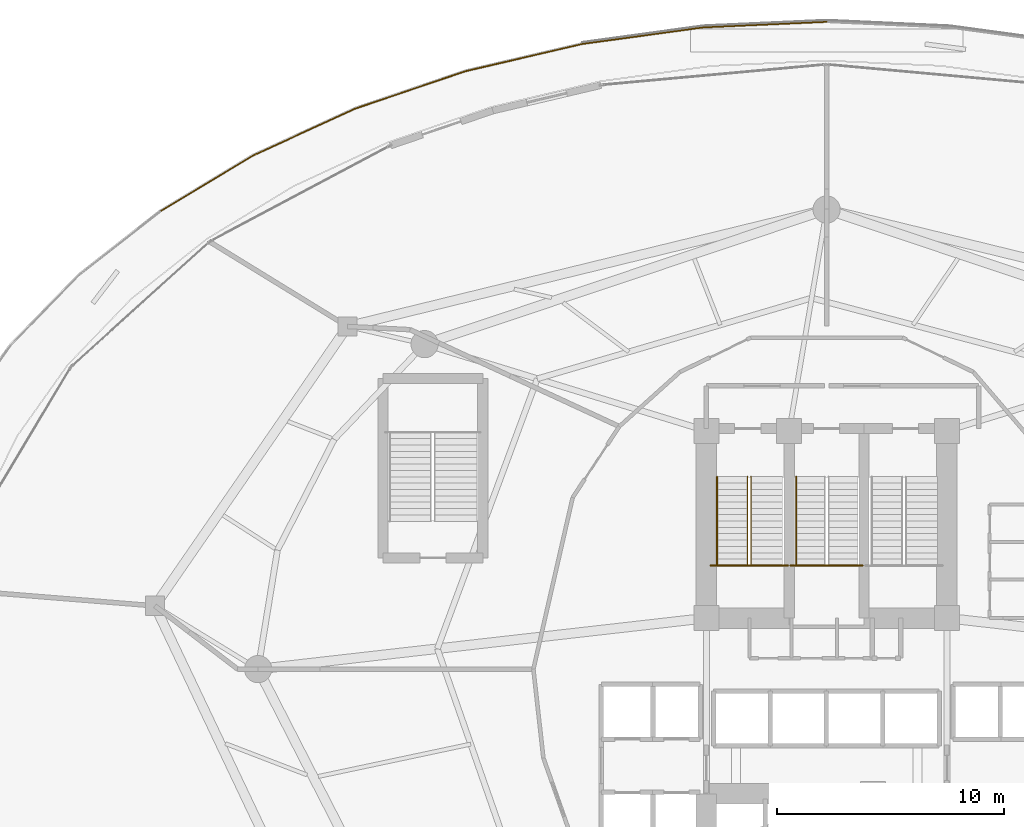
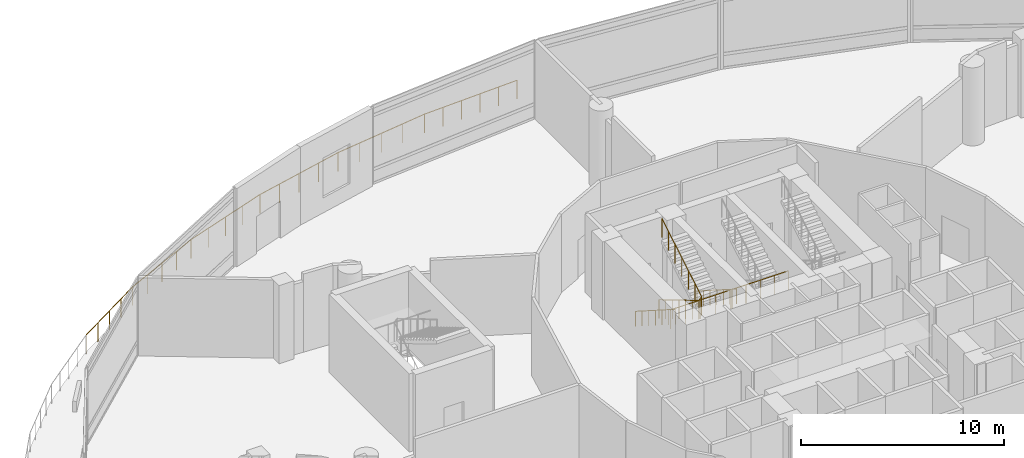
# One storey, part 34 of 37: 6 railings.
"""IFC4 building model written with IfcOpenShell, lengths in metres."""

from ifc_helpers import new_model, si_unit, direction, frame, origin, place, context, subcontext, project, spatial, polyline, outline, extrude, material, type_object, element, save


model = new_model("IFC4")

# Units and contexts
model_context = context("Model", 3, precision=1e-05, world=origin(), true_north=direction((0.0, 1.0)))
body_context = subcontext(model_context, "Body", "Model", "MODEL_VIEW")
ifc_project = project(units=[si_unit("LENGTHUNIT", "METRE"), si_unit("AREAUNIT", "SQUARE_METRE"), si_unit("VOLUMEUNIT", "CUBIC_METRE"), si_unit("PLANEANGLEUNIT", "RADIAN"), si_unit("MASSUNIT", "GRAM", prefix="KILO")], contexts=[model_context])

# Site, building, storey
site_placement = place(None, origin())
site = spatial("IfcSite", under=ifc_project, at=site_placement, CompositionType="ELEMENT")
building_placement = place(site_placement, origin())
building = spatial("IfcBuilding", under=site, at=building_placement, Name="Nuhasar Tower", CompositionType="ELEMENT")
storey_placement = place(building_placement, frame((0.0, 0.0, 6.0)))
storey = spatial("IfcBuildingStorey", under=building, at=storey_placement, Name="L01", CompositionType="ELEMENT", Elevation=6.0)

# Railings
ifc_material_1 = material(Name="Steel S355", Category="steel")
railing_type_1 = type_object("IfcRailingType", Name="RLG-STAIR-GUARD-1150", PredefinedType="GUARDRAIL", material=ifc_material_1)
railing_1_placement = place(storey_placement, frame((33.8798828125, 31.364990234375, 2.5)))
element("IfcRailing", 1, at=railing_1_placement, inside=storey, type_object=railing_type_1, Name="L01 Stair ST-01 Guardrail LND", PredefinedType="GUARDRAIL", context=body_context, shape_type="SweptSolid", body=[
    extrude(outline(polyline([(0.024169921875, 0.0), (0.01708984375, 0.01708984375), (0.0, 0.024169921875), (-0.01708984375, 0.01708984375), (-0.024169921875, 0.0), (-0.01708984375, -0.01708984375), (0.0, -0.024169921875), (0.01708984375, -0.01708984375), (0.024169921875, 0.0)])), frame((0.0, 0.0, 1.1259765625), z_axis=(1.0, 0.0, 0.0), x_axis=(0.0, 1.0, 0.0)), (0.0, 0.0, 1.0), 3.420166015625),
    extrude(outline(polyline([(0.02099609375, 0.0), (0.014892578125, 0.014892578125), (0.0, 0.02099609375), (-0.014892578125, 0.014892578125), (-0.02099609375, 0.0), (-0.014892578125, -0.014892578125), (0.0, -0.02099609375), (0.014892578125, -0.014892578125), (0.02099609375, 0.0)])), origin(), (0.0, 0.0, 1.0), 1.101806640625),
    extrude(outline(polyline([(0.02099609375, 0.0), (0.014892578125, 0.014892578125), (0.0, 0.02099609375), (-0.014892578125, 0.014892578125), (-0.02099609375, 0.0), (-0.014892578125, -0.014892578125), (0.0, -0.02099609375), (0.014892578125, -0.014892578125), (0.02099609375, 0.0)])), frame((0.85498046875, 0.0, 0.0)), (0.0, 0.0, 1.0), 1.101806640625),
    extrude(outline(polyline([(0.02099609375, 0.0), (0.014892578125, 0.014892578125), (0.0, 0.02099609375), (-0.014892578125, 0.014892578125), (-0.02099609375, 0.0), (-0.014892578125, -0.014892578125), (0.0, -0.02099609375), (0.014892578125, -0.014892578125), (0.02099609375, 0.0)])), frame((1.7099609375, 0.0, 0.0)), (0.0, 0.0, 1.0), 1.101806640625),
    extrude(outline(polyline([(0.02099609375, 0.0), (0.014892578125, 0.014892578125), (0.0, 0.02099609375), (-0.014892578125, 0.014892578125), (-0.02099609375, 0.0), (-0.014892578125, -0.014892578125), (0.0, -0.02099609375), (0.014892578125, -0.014892578125), (0.02099609375, 0.0)])), frame((2.565185546875, 0.0, 0.0)), (0.0, 0.0, 1.0), 1.101806640625),
    extrude(outline(polyline([(0.02099609375, 0.0), (0.014892578125, 0.014892578125), (0.0, 0.02099609375), (-0.014892578125, 0.014892578125), (-0.02099609375, 0.0), (-0.014892578125, -0.014892578125), (0.0, -0.02099609375), (0.014892578125, -0.014892578125), (0.02099609375, 0.0)])), frame((3.420166015625, 0.0, 0.0)), (0.0, 0.0, 1.0), 1.101806640625),
])
railing_2_placement = place(storey_placement, frame((35.510009765625, 35.284912109375, 0.1669921875)))
element("IfcRailing", 2, at=railing_2_placement, inside=storey, type_object=railing_type_1, Name="L01 Stair ST-01 Guardrail SLT", PredefinedType="GUARDRAIL", context=body_context, shape_type="SweptSolid", body=[
    extrude(outline(polyline([(0.024169921875, 0.0), (0.01708984375, 0.01708984375), (0.0, 0.024169921875), (-0.01708984375, 0.01708984375), (-0.024169921875, 0.0), (-0.01708984375, -0.01708984375), (0.0, -0.024169921875), (0.01708984375, -0.01708984375), (0.024169921875, 0.0)])), frame((0.0, 0.0, 1.1259765625), z_axis=(0.0, -0.85931976652, 0.511438695121), x_axis=(1.0, 0.0, 0.0)), (0.0, 0.0, 1.0), 4.561767578125),
    extrude(outline(polyline([(0.024169921875, 0.0), (0.01708984375, 0.01708984375), (0.0, 0.024169921875), (-0.01708984375, 0.01708984375), (-0.024169921875, 0.0), (-0.01708984375, -0.01708984375), (0.0, -0.024169921875), (0.01708984375, -0.01708984375), (0.024169921875, 0.0)])), frame((0.0, -3.919921875, 3.458984375), z_axis=(0.691630103864, 0.0, 0.722251894722), x_axis=(0.0, 1.0, 0.0)), (0.0, 0.0, 1.0), 0.231201171875),
    extrude(outline(polyline([(0.024169921875, 0.0), (0.01708984375, 0.01708984375), (0.0, 0.024169921875), (-0.01708984375, 0.01708984375), (-0.024169921875, 0.0), (-0.01708984375, -0.01708984375), (0.0, -0.024169921875), (0.01708984375, -0.01708984375), (0.024169921875, 0.0)])), frame((0.159912109375, -3.919921875, 3.6259765625), z_axis=(0.0, 0.85931976652, 0.511438695121), x_axis=(-1.0, 0.0, 0.0)), (0.0, 0.0, 1.0), 4.561767578125),
    extrude(outline(polyline([(0.02099609375, 0.0), (0.014892578125, 0.014892578125), (0.0, 0.02099609375), (-0.014892578125, 0.014892578125), (-0.02099609375, 0.0), (-0.014892578125, -0.014892578125), (0.0, -0.02099609375), (0.014892578125, -0.014892578125), (0.02099609375, 0.0)])), origin(), (0.0, 0.0, 1.0), 1.101806640625),
    extrude(outline(polyline([(0.02099609375, 0.0), (0.014892578125, 0.014892578125), (0.0, 0.02099609375), (-0.014892578125, 0.014892578125), (-0.02099609375, 0.0), (-0.014892578125, -0.014892578125), (0.0, -0.02099609375), (0.014892578125, -0.014892578125), (0.02099609375, 0.0)])), frame((0.0, -0.6533203125, 0.388916015625)), (0.0, 0.0, 1.0), 1.101806640625),
    extrude(outline(polyline([(0.02099609375, 0.0), (0.014892578125, 0.014892578125), (0.0, 0.02099609375), (-0.014892578125, 0.014892578125), (-0.02099609375, 0.0), (-0.014892578125, -0.014892578125), (0.0, -0.02099609375), (0.014892578125, -0.014892578125), (0.02099609375, 0.0)])), frame((0.0, -1.306640625, 0.777587890625)), (0.0, 0.0, 1.0), 1.101806640625),
    extrude(outline(polyline([(0.02099609375, 0.0), (0.014892578125, 0.014892578125), (0.0, 0.02099609375), (-0.014892578125, 0.014892578125), (-0.02099609375, 0.0), (-0.014892578125, -0.014892578125), (0.0, -0.02099609375), (0.014892578125, -0.014892578125), (0.02099609375, 0.0)])), frame((0.0, -1.9599609375, 1.16650390625)), (0.0, 0.0, 1.0), 1.101806640625),
    extrude(outline(polyline([(0.02099609375, 0.0), (0.014892578125, 0.014892578125), (0.0, 0.02099609375), (-0.014892578125, 0.014892578125), (-0.02099609375, 0.0), (-0.014892578125, -0.014892578125), (0.0, -0.02099609375), (0.014892578125, -0.014892578125), (0.02099609375, 0.0)])), frame((0.0, -2.61328125, 1.555419921875)), (0.0, 0.0, 1.0), 1.101806640625),
    extrude(outline(polyline([(0.02099609375, 0.0), (0.014892578125, 0.014892578125), (0.0, 0.02099609375), (-0.014892578125, 0.014892578125), (-0.02099609375, 0.0), (-0.014892578125, -0.014892578125), (0.0, -0.02099609375), (0.014892578125, -0.014892578125), (0.02099609375, 0.0)])), frame((0.0, -3.2666015625, 1.944091796875)), (0.0, 0.0, 1.0), 1.101806640625),
    extrude(outline(polyline([(0.02099609375, 0.0), (0.014892578125, 0.014892578125), (0.0, 0.02099609375), (-0.014892578125, 0.014892578125), (-0.02099609375, 0.0), (-0.014892578125, -0.014892578125), (0.0, -0.02099609375), (0.014892578125, -0.014892578125), (0.02099609375, 0.0)])), frame((0.0, -3.919921875, 2.3330078125)), (0.0, 0.0, 1.0), 1.101806640625),
    extrude(outline(polyline([(0.02099609375, 0.0), (0.014892578125, 0.014892578125), (0.0, 0.02099609375), (-0.014892578125, 0.014892578125), (-0.02099609375, 0.0), (-0.014892578125, -0.014892578125), (0.0, -0.02099609375), (0.014892578125, -0.014892578125), (0.02099609375, 0.0)])), frame((0.159912109375, -3.919921875, 2.5)), (0.0, 0.0, 1.0), 1.101806640625),
    extrude(outline(polyline([(0.02099609375, 0.0), (0.014892578125, 0.014892578125), (0.0, 0.02099609375), (-0.014892578125, 0.014892578125), (-0.02099609375, 0.0), (-0.014892578125, -0.014892578125), (0.0, -0.02099609375), (0.014892578125, -0.014892578125), (0.02099609375, 0.0)])), frame((0.159912109375, -3.2666015625, 2.888916015625)), (0.0, 0.0, 1.0), 1.101806640625),
    extrude(outline(polyline([(0.02099609375, 0.0), (0.014892578125, 0.014892578125), (0.0, 0.02099609375), (-0.014892578125, 0.014892578125), (-0.02099609375, 0.0), (-0.014892578125, -0.014892578125), (0.0, -0.02099609375), (0.014892578125, -0.014892578125), (0.02099609375, 0.0)])), frame((0.159912109375, -2.61328125, 3.277587890625)), (0.0, 0.0, 1.0), 1.101806640625),
    extrude(outline(polyline([(0.02099609375, 0.0), (0.014892578125, 0.014892578125), (0.0, 0.02099609375), (-0.014892578125, 0.014892578125), (-0.02099609375, 0.0), (-0.014892578125, -0.014892578125), (0.0, -0.02099609375), (0.014892578125, -0.014892578125), (0.02099609375, 0.0)])), frame((0.159912109375, -1.9599609375, 3.66650390625)), (0.0, 0.0, 1.0), 1.101806640625),
    extrude(outline(polyline([(0.02099609375, 0.0), (0.014892578125, 0.014892578125), (0.0, 0.02099609375), (-0.014892578125, 0.014892578125), (-0.02099609375, 0.0), (-0.014892578125, -0.014892578125), (0.0, -0.02099609375), (0.014892578125, -0.014892578125), (0.02099609375, 0.0)])), frame((0.159912109375, -1.306640625, 4.055419921875)), (0.0, 0.0, 1.0), 1.101806640625),
    extrude(outline(polyline([(0.02099609375, 0.0), (0.014892578125, 0.014892578125), (0.0, 0.02099609375), (-0.014892578125, 0.014892578125), (-0.02099609375, 0.0), (-0.014892578125, -0.014892578125), (0.0, -0.02099609375), (0.014892578125, -0.014892578125), (0.02099609375, 0.0)])), frame((0.159912109375, -0.6533203125, 4.444091796875)), (0.0, 0.0, 1.0), 1.101806640625),
    extrude(outline(polyline([(0.02099609375, 0.0), (0.014892578125, 0.014892578125), (0.0, 0.02099609375), (-0.014892578125, 0.014892578125), (-0.02099609375, 0.0), (-0.014892578125, -0.014892578125), (0.0, -0.02099609375), (0.014892578125, -0.014892578125), (0.02099609375, 0.0)])), frame((0.159912109375, 0.0, 4.8330078125)), (0.0, 0.0, 1.0), 1.101806640625),
])
railing_3_placement = place(storey_placement, frame((37.39990234375, 31.364990234375, 2.5)))
element("IfcRailing", 3, at=railing_3_placement, inside=storey, type_object=railing_type_1, Name="L01 Stair ST-03 Guardrail LND", PredefinedType="GUARDRAIL", context=body_context, shape_type="SweptSolid", body=[
    extrude(outline(polyline([(0.024169921875, 0.0), (0.01708984375, 0.01708984375), (0.0, 0.024169921875), (-0.01708984375, 0.01708984375), (-0.024169921875, 0.0), (-0.01708984375, -0.01708984375), (0.0, -0.024169921875), (0.01708984375, -0.01708984375), (0.024169921875, 0.0)])), frame((0.0, 0.0, 1.1259765625), z_axis=(1.0, 0.0, 0.0), x_axis=(0.0, 1.0, 0.0)), (0.0, 0.0, 1.0), 3.2001953125),
    extrude(outline(polyline([(0.02099609375, 0.0), (0.014892578125, 0.014892578125), (0.0, 0.02099609375), (-0.014892578125, 0.014892578125), (-0.02099609375, 0.0), (-0.014892578125, -0.014892578125), (0.0, -0.02099609375), (0.014892578125, -0.014892578125), (0.02099609375, 0.0)])), origin(), (0.0, 0.0, 1.0), 1.101806640625),
    extrude(outline(polyline([(0.02099609375, 0.0), (0.014892578125, 0.014892578125), (0.0, 0.02099609375), (-0.014892578125, 0.014892578125), (-0.02099609375, 0.0), (-0.014892578125, -0.014892578125), (0.0, -0.02099609375), (0.014892578125, -0.014892578125), (0.02099609375, 0.0)])), frame((0.800048828125, 0.0, 0.0)), (0.0, 0.0, 1.0), 1.101806640625),
    extrude(outline(polyline([(0.02099609375, 0.0), (0.014892578125, 0.014892578125), (0.0, 0.02099609375), (-0.014892578125, 0.014892578125), (-0.02099609375, 0.0), (-0.014892578125, -0.014892578125), (0.0, -0.02099609375), (0.014892578125, -0.014892578125), (0.02099609375, 0.0)])), frame((1.60009765625, 0.0, 0.0)), (0.0, 0.0, 1.0), 1.101806640625),
    extrude(outline(polyline([(0.02099609375, 0.0), (0.014892578125, 0.014892578125), (0.0, 0.02099609375), (-0.014892578125, 0.014892578125), (-0.02099609375, 0.0), (-0.014892578125, -0.014892578125), (0.0, -0.02099609375), (0.014892578125, -0.014892578125), (0.02099609375, 0.0)])), frame((2.400146484375, 0.0, 0.0)), (0.0, 0.0, 1.0), 1.101806640625),
    extrude(outline(polyline([(0.02099609375, 0.0), (0.014892578125, 0.014892578125), (0.0, 0.02099609375), (-0.014892578125, 0.014892578125), (-0.02099609375, 0.0), (-0.014892578125, -0.014892578125), (0.0, -0.02099609375), (0.014892578125, -0.014892578125), (0.02099609375, 0.0)])), frame((3.2001953125, 0.0, 0.0)), (0.0, 0.0, 1.0), 1.101806640625),
])
ifc_material_2 = material(Name="Stainless Steel 316L", Category="steel")
railing_type_2 = type_object("IfcRailingType", Name="RLG-STAIR-HAND-920", PredefinedType="HANDRAIL", material=ifc_material_2)
railing_4_placement = place(storey_placement, frame((34.169921875, 35.284912109375, 0.1669921875)))
element("IfcRailing", 4, at=railing_4_placement, inside=storey, type_object=railing_type_2, Name="L01 Stair ST-01 Handrail HND1", PredefinedType="HANDRAIL", context=body_context, shape_type="SweptSolid", body=[
    extrude(outline(polyline([(0.024169921875, 0.0), (0.01708984375, 0.01708984375), (0.0, 0.024169921875), (-0.01708984375, 0.01708984375), (-0.024169921875, 0.0), (-0.01708984375, -0.01708984375), (0.0, -0.024169921875), (0.01708984375, -0.01708984375), (0.024169921875, 0.0)])), frame((0.0, 0.0, 0.89599609375), z_axis=(0.0, -0.843124831705, 0.537717879712), x_axis=(1.0, 0.0, 0.0)), (0.0, 0.0, 1.0), 4.649169921875),
    extrude(outline(polyline([(0.02099609375, 0.0), (0.014892578125, 0.014892578125), (0.0, 0.02099609375), (-0.014892578125, 0.014892578125), (-0.02099609375, 0.0), (-0.014892578125, -0.014892578125), (0.0, -0.02099609375), (0.014892578125, -0.014892578125), (0.02099609375, 0.0)])), origin(), (0.0, 0.0, 1.0), 0.871826171875),
    extrude(outline(polyline([(0.02099609375, 0.0), (0.014892578125, 0.014892578125), (0.0, 0.02099609375), (-0.014892578125, 0.014892578125), (-0.02099609375, 0.0), (-0.014892578125, -0.014892578125), (0.0, -0.02099609375), (0.014892578125, -0.014892578125), (0.02099609375, 0.0)])), frame((0.0, -0.6533203125, 0.416748046875)), (0.0, 0.0, 1.0), 0.871826171875),
    extrude(outline(polyline([(0.02099609375, 0.0), (0.014892578125, 0.014892578125), (0.0, 0.02099609375), (-0.014892578125, 0.014892578125), (-0.02099609375, 0.0), (-0.014892578125, -0.014892578125), (0.0, -0.02099609375), (0.014892578125, -0.014892578125), (0.02099609375, 0.0)])), frame((0.0, -1.306640625, 0.833251953125)), (0.0, 0.0, 1.0), 0.871826171875),
    extrude(outline(polyline([(0.02099609375, 0.0), (0.014892578125, 0.014892578125), (0.0, 0.02099609375), (-0.014892578125, 0.014892578125), (-0.02099609375, 0.0), (-0.014892578125, -0.014892578125), (0.0, -0.02099609375), (0.014892578125, -0.014892578125), (0.02099609375, 0.0)])), frame((0.0, -1.9599609375, 1.25)), (0.0, 0.0, 1.0), 0.871826171875),
    extrude(outline(polyline([(0.02099609375, 0.0), (0.014892578125, 0.014892578125), (0.0, 0.02099609375), (-0.014892578125, 0.014892578125), (-0.02099609375, 0.0), (-0.014892578125, -0.014892578125), (0.0, -0.02099609375), (0.014892578125, -0.014892578125), (0.02099609375, 0.0)])), frame((0.0, -2.61328125, 1.666748046875)), (0.0, 0.0, 1.0), 0.871826171875),
    extrude(outline(polyline([(0.02099609375, 0.0), (0.014892578125, 0.014892578125), (0.0, 0.02099609375), (-0.014892578125, 0.014892578125), (-0.02099609375, 0.0), (-0.014892578125, -0.014892578125), (0.0, -0.02099609375), (0.014892578125, -0.014892578125), (0.02099609375, 0.0)])), frame((0.0, -3.2666015625, 2.083251953125)), (0.0, 0.0, 1.0), 0.871826171875),
    extrude(outline(polyline([(0.02099609375, 0.0), (0.014892578125, 0.014892578125), (0.0, 0.02099609375), (-0.014892578125, 0.014892578125), (-0.02099609375, 0.0), (-0.014892578125, -0.014892578125), (0.0, -0.02099609375), (0.014892578125, -0.014892578125), (0.02099609375, 0.0)])), frame((0.0, -3.919921875, 2.5)), (0.0, 0.0, 1.0), 0.871826171875),
])
railing_5_placement = place(storey_placement, frame((37.659912109375, 35.284912109375, 0.1669921875)))
element("IfcRailing", 5, at=railing_5_placement, inside=storey, type_object=railing_type_2, Name="L01 Stair ST-03 Handrail HND1", PredefinedType="HANDRAIL", context=body_context, shape_type="SweptSolid", body=[
    extrude(outline(polyline([(0.024169921875, 0.0), (0.01708984375, 0.01708984375), (0.0, 0.024169921875), (-0.01708984375, 0.01708984375), (-0.024169921875, 0.0), (-0.01708984375, -0.01708984375), (0.0, -0.024169921875), (0.01708984375, -0.01708984375), (0.024169921875, 0.0)])), frame((0.0, 0.0, 0.89599609375), z_axis=(0.0, -0.843124831705, 0.537717879712), x_axis=(1.0, 0.0, 0.0)), (0.0, 0.0, 1.0), 4.649169921875),
    extrude(outline(polyline([(0.02099609375, 0.0), (0.014892578125, 0.014892578125), (0.0, 0.02099609375), (-0.014892578125, 0.014892578125), (-0.02099609375, 0.0), (-0.014892578125, -0.014892578125), (0.0, -0.02099609375), (0.014892578125, -0.014892578125), (0.02099609375, 0.0)])), origin(), (0.0, 0.0, 1.0), 0.871826171875),
    extrude(outline(polyline([(0.02099609375, 0.0), (0.014892578125, 0.014892578125), (0.0, 0.02099609375), (-0.014892578125, 0.014892578125), (-0.02099609375, 0.0), (-0.014892578125, -0.014892578125), (0.0, -0.02099609375), (0.014892578125, -0.014892578125), (0.02099609375, 0.0)])), frame((0.0, -0.6533203125, 0.416748046875)), (0.0, 0.0, 1.0), 0.871826171875),
    extrude(outline(polyline([(0.02099609375, 0.0), (0.014892578125, 0.014892578125), (0.0, 0.02099609375), (-0.014892578125, 0.014892578125), (-0.02099609375, 0.0), (-0.014892578125, -0.014892578125), (0.0, -0.02099609375), (0.014892578125, -0.014892578125), (0.02099609375, 0.0)])), frame((0.0, -1.306640625, 0.833251953125)), (0.0, 0.0, 1.0), 0.871826171875),
    extrude(outline(polyline([(0.02099609375, 0.0), (0.014892578125, 0.014892578125), (0.0, 0.02099609375), (-0.014892578125, 0.014892578125), (-0.02099609375, 0.0), (-0.014892578125, -0.014892578125), (0.0, -0.02099609375), (0.014892578125, -0.014892578125), (0.02099609375, 0.0)])), frame((0.0, -1.9599609375, 1.25)), (0.0, 0.0, 1.0), 0.871826171875),
    extrude(outline(polyline([(0.02099609375, 0.0), (0.014892578125, 0.014892578125), (0.0, 0.02099609375), (-0.014892578125, 0.014892578125), (-0.02099609375, 0.0), (-0.014892578125, -0.014892578125), (0.0, -0.02099609375), (0.014892578125, -0.014892578125), (0.02099609375, 0.0)])), frame((0.0, -2.61328125, 1.666748046875)), (0.0, 0.0, 1.0), 0.871826171875),
    extrude(outline(polyline([(0.02099609375, 0.0), (0.014892578125, 0.014892578125), (0.0, 0.02099609375), (-0.014892578125, 0.014892578125), (-0.02099609375, 0.0), (-0.014892578125, -0.014892578125), (0.0, -0.02099609375), (0.014892578125, -0.014892578125), (0.02099609375, 0.0)])), frame((0.0, -3.2666015625, 2.083251953125)), (0.0, 0.0, 1.0), 0.871826171875),
    extrude(outline(polyline([(0.02099609375, 0.0), (0.014892578125, 0.014892578125), (0.0, 0.02099609375), (-0.014892578125, 0.014892578125), (-0.02099609375, 0.0), (-0.014892578125, -0.014892578125), (0.0, -0.02099609375), (0.014892578125, -0.014892578125), (0.02099609375, 0.0)])), frame((0.0, -3.919921875, 2.5)), (0.0, 0.0, 1.0), 0.871826171875),
])
railing_type_3 = type_object("IfcRailingType", Name="RLG-TERR-1150", PredefinedType="BALUSTRADE", material=ifc_material_1)
railing_6_placement = place(storey_placement, frame((39.0, 55.320068359375, 0.0)))
element("IfcRailing", 6, at=railing_6_placement, inside=storey, type_object=railing_type_3, Name="L01 Bustan Terrace Perimeter Balustrade 03", PredefinedType="BALUSTRADE", context=body_context, shape_type="SweptSolid", body=[
    extrude(outline(polyline([(0.024169921875, 0.0), (0.01708984375, 0.01708984375), (0.0, 0.024169921875), (-0.01708984375, 0.01708984375), (-0.024169921875, 0.0), (-0.01708984375, -0.01708984375), (0.0, -0.024169921875), (0.01708984375, -0.01708984375), (0.024169921875, 0.0)])), frame((0.0, 0.0, 1.1259765625), z_axis=(-0.998986648669, -0.04500750805, 0.0), x_axis=(0.04500750805, -0.998986648669, 0.0)), (0.0, 0.0, 1.0), 5.424560546875),
    extrude(outline(polyline([(0.024169921875, 0.0), (0.01708984375, 0.01708984375), (0.0, 0.024169921875), (-0.01708984375, 0.01708984375), (-0.024169921875, 0.0), (-0.01708984375, -0.01708984375), (0.0, -0.024169921875), (0.01708984375, -0.01708984375), (0.024169921875, 0.0)])), frame((-5.4189453125, -0.244140625, 1.1259765625), z_axis=(-0.990790336006, -0.135404985425, 0.0), x_axis=(0.135404985425, -0.990790336006, 0.0)), (0.0, 0.0, 1.0), 5.376708984375),
    extrude(outline(polyline([(0.024169921875, 0.0), (0.01708984375, 0.01708984375), (0.0, 0.024169921875), (-0.01708984375, 0.01708984375), (-0.024169921875, 0.0), (-0.01708984375, -0.01708984375), (0.0, -0.024169921875), (0.01708984375, -0.01708984375), (0.024169921875, 0.0)])), frame((-10.74609375, -0.97216796875, 1.1259765625), z_axis=(-0.973883819877, -0.227046923305, 0.0), x_axis=(0.227046923305, -0.973883819877, 0.0)), (0.0, 0.0, 1.0), 5.28076171875),
    extrude(outline(polyline([(0.024169921875, 0.0), (0.01708984375, 0.01708984375), (0.0, 0.024169921875), (-0.01708984375, 0.01708984375), (-0.024169921875, 0.0), (-0.01708984375, -0.01708984375), (0.0, -0.024169921875), (0.01708984375, -0.01708984375), (0.024169921875, 0.0)])), frame((-15.888916015625, -2.171142578125, 1.1259765625), z_axis=(-0.947143645035, -0.320809781132, 0.0), x_axis=(0.320809781132, -0.947143645035, 0.0)), (0.0, 0.0, 1.0), 5.142822265625),
    extrude(outline(polyline([(0.024169921875, 0.0), (0.01708984375, 0.01708984375), (0.0, 0.024169921875), (-0.01708984375, 0.01708984375), (-0.024169921875, 0.0), (-0.01708984375, -0.01708984375), (0.0, -0.024169921875), (0.01708984375, -0.01708984375), (0.024169921875, 0.0)])), frame((-20.760009765625, -3.821044921875, 1.1259765625), z_axis=(-0.908818857155, -0.417190945348, 0.0), x_axis=(0.417190945348, -0.908818857155, 0.0)), (0.0, 0.0, 1.0), 4.968994140625),
    extrude(outline(polyline([(0.024169921875, 0.0), (0.01708984375, 0.01708984375), (0.0, 0.024169921875), (-0.01708984375, 0.01708984375), (-0.024169921875, 0.0), (-0.01708984375, -0.01708984375), (0.0, -0.024169921875), (0.01708984375, -0.01708984375), (0.024169921875, 0.0)])), frame((-25.27587890625, -5.89404296875, 1.1259765625), z_axis=(-0.856694284933, -0.51582448775, 0.0), x_axis=(0.51582448775, -0.856694284933, 0.0)), (0.0, 0.0, 1.0), 4.726318359375),
    extrude(outline(polyline([(0.02099609375, 0.0), (0.014892578125, 0.014892578125), (0.0, 0.02099609375), (-0.014892578125, 0.014892578125), (-0.02099609375, 0.0), (-0.014892578125, -0.014892578125), (0.0, -0.02099609375), (0.014892578125, -0.014892578125), (0.02099609375, 0.0)])), origin(), (0.0, 0.0, 1.0), 1.101806640625),
    extrude(outline(polyline([(0.02099609375, 0.0), (0.014892578125, 0.014892578125), (0.0, 0.02099609375), (-0.014892578125, 0.014892578125), (-0.02099609375, 0.0), (-0.014892578125, -0.014892578125), (0.0, -0.02099609375), (0.014892578125, -0.014892578125), (0.02099609375, 0.0)])), frame((-1.083740234375, -0.048828125, 0.0)), (0.0, 0.0, 1.0), 1.101806640625),
    extrude(outline(polyline([(0.02099609375, 0.0), (0.014892578125, 0.014892578125), (0.0, 0.02099609375), (-0.014892578125, 0.014892578125), (-0.02099609375, 0.0), (-0.014892578125, -0.014892578125), (0.0, -0.02099609375), (0.014892578125, -0.014892578125), (0.02099609375, 0.0)])), frame((-2.16748046875, -0.09765625, 0.0)), (0.0, 0.0, 1.0), 1.101806640625),
    extrude(outline(polyline([(0.02099609375, 0.0), (0.014892578125, 0.014892578125), (0.0, 0.02099609375), (-0.014892578125, 0.014892578125), (-0.02099609375, 0.0), (-0.014892578125, -0.014892578125), (0.0, -0.02099609375), (0.014892578125, -0.014892578125), (0.02099609375, 0.0)])), frame((-3.25146484375, -0.146484375, 0.0)), (0.0, 0.0, 1.0), 1.101806640625),
    extrude(outline(polyline([(0.02099609375, 0.0), (0.014892578125, 0.014892578125), (0.0, 0.02099609375), (-0.014892578125, 0.014892578125), (-0.02099609375, 0.0), (-0.014892578125, -0.014892578125), (0.0, -0.02099609375), (0.014892578125, -0.014892578125), (0.02099609375, 0.0)])), frame((-4.335205078125, -0.1953125, 0.0)), (0.0, 0.0, 1.0), 1.101806640625),
    extrude(outline(polyline([(0.02099609375, 0.0), (0.014892578125, 0.014892578125), (0.0, 0.02099609375), (-0.014892578125, 0.014892578125), (-0.02099609375, 0.0), (-0.014892578125, -0.014892578125), (0.0, -0.02099609375), (0.014892578125, -0.014892578125), (0.02099609375, 0.0)])), frame((-5.4189453125, -0.244140625, 0.0)), (0.0, 0.0, 1.0), 1.101806640625),
    extrude(outline(polyline([(0.02099609375, 0.0), (0.014892578125, 0.014892578125), (0.0, 0.02099609375), (-0.014892578125, 0.014892578125), (-0.02099609375, 0.0), (-0.014892578125, -0.014892578125), (0.0, -0.02099609375), (0.014892578125, -0.014892578125), (0.02099609375, 0.0)])), frame((-6.750732421875, -0.42626953125, 0.0)), (0.0, 0.0, 1.0), 1.101806640625),
    extrude(outline(polyline([(0.02099609375, 0.0), (0.014892578125, 0.014892578125), (0.0, 0.02099609375), (-0.014892578125, 0.014892578125), (-0.02099609375, 0.0), (-0.014892578125, -0.014892578125), (0.0, -0.02099609375), (0.014892578125, -0.014892578125), (0.02099609375, 0.0)])), frame((-8.08251953125, -0.608154296875, 0.0)), (0.0, 0.0, 1.0), 1.101806640625),
    extrude(outline(polyline([(0.02099609375, 0.0), (0.014892578125, 0.014892578125), (0.0, 0.02099609375), (-0.014892578125, 0.014892578125), (-0.02099609375, 0.0), (-0.014892578125, -0.014892578125), (0.0, -0.02099609375), (0.014892578125, -0.014892578125), (0.02099609375, 0.0)])), frame((-9.414306640625, -0.7900390625, 0.0)), (0.0, 0.0, 1.0), 1.101806640625),
    extrude(outline(polyline([(0.02099609375, 0.0), (0.014892578125, 0.014892578125), (0.0, 0.02099609375), (-0.014892578125, 0.014892578125), (-0.02099609375, 0.0), (-0.014892578125, -0.014892578125), (0.0, -0.02099609375), (0.014892578125, -0.014892578125), (0.02099609375, 0.0)])), frame((-10.74609375, -0.97216796875, 0.0)), (0.0, 0.0, 1.0), 1.101806640625),
    extrude(outline(polyline([(0.02099609375, 0.0), (0.014892578125, 0.014892578125), (0.0, 0.02099609375), (-0.014892578125, 0.014892578125), (-0.02099609375, 0.0), (-0.014892578125, -0.014892578125), (0.0, -0.02099609375), (0.014892578125, -0.014892578125), (0.02099609375, 0.0)])), frame((-12.03173828125, -1.27197265625, 0.0)), (0.0, 0.0, 1.0), 1.101806640625),
    extrude(outline(polyline([(0.02099609375, 0.0), (0.014892578125, 0.014892578125), (0.0, 0.02099609375), (-0.014892578125, 0.014892578125), (-0.02099609375, 0.0), (-0.014892578125, -0.014892578125), (0.0, -0.02099609375), (0.014892578125, -0.014892578125), (0.02099609375, 0.0)])), frame((-13.3173828125, -1.57177734375, 0.0)), (0.0, 0.0, 1.0), 1.101806640625),
    extrude(outline(polyline([(0.02099609375, 0.0), (0.014892578125, 0.014892578125), (0.0, 0.02099609375), (-0.014892578125, 0.014892578125), (-0.02099609375, 0.0), (-0.014892578125, -0.014892578125), (0.0, -0.02099609375), (0.014892578125, -0.014892578125), (0.02099609375, 0.0)])), frame((-14.603271484375, -1.871337890625, 0.0)), (0.0, 0.0, 1.0), 1.101806640625),
    extrude(outline(polyline([(0.02099609375, 0.0), (0.014892578125, 0.014892578125), (0.0, 0.02099609375), (-0.014892578125, 0.014892578125), (-0.02099609375, 0.0), (-0.014892578125, -0.014892578125), (0.0, -0.02099609375), (0.014892578125, -0.014892578125), (0.02099609375, 0.0)])), frame((-15.888916015625, -2.171142578125, 0.0)), (0.0, 0.0, 1.0), 1.101806640625),
    extrude(outline(polyline([(0.02099609375, 0.0), (0.014892578125, 0.014892578125), (0.0, 0.02099609375), (-0.014892578125, 0.014892578125), (-0.02099609375, 0.0), (-0.014892578125, -0.014892578125), (0.0, -0.02099609375), (0.014892578125, -0.014892578125), (0.02099609375, 0.0)])), frame((-17.106689453125, -2.58349609375, 0.0)), (0.0, 0.0, 1.0), 1.101806640625),
    extrude(outline(polyline([(0.02099609375, 0.0), (0.014892578125, 0.014892578125), (0.0, 0.02099609375), (-0.014892578125, 0.014892578125), (-0.02099609375, 0.0), (-0.014892578125, -0.014892578125), (0.0, -0.02099609375), (0.014892578125, -0.014892578125), (0.02099609375, 0.0)])), frame((-18.324462890625, -2.99609375, 0.0)), (0.0, 0.0, 1.0), 1.101806640625),
    extrude(outline(polyline([(0.02099609375, 0.0), (0.014892578125, 0.014892578125), (0.0, 0.02099609375), (-0.014892578125, 0.014892578125), (-0.02099609375, 0.0), (-0.014892578125, -0.014892578125), (0.0, -0.02099609375), (0.014892578125, -0.014892578125), (0.02099609375, 0.0)])), frame((-19.542236328125, -3.40869140625, 0.0)), (0.0, 0.0, 1.0), 1.101806640625),
    extrude(outline(polyline([(0.02099609375, 0.0), (0.014892578125, 0.014892578125), (0.0, 0.02099609375), (-0.014892578125, 0.014892578125), (-0.02099609375, 0.0), (-0.014892578125, -0.014892578125), (0.0, -0.02099609375), (0.014892578125, -0.014892578125), (0.02099609375, 0.0)])), frame((-20.760009765625, -3.821044921875, 0.0)), (0.0, 0.0, 1.0), 1.101806640625),
    extrude(outline(polyline([(0.02099609375, 0.0), (0.014892578125, 0.014892578125), (0.0, 0.02099609375), (-0.014892578125, 0.014892578125), (-0.02099609375, 0.0), (-0.014892578125, -0.014892578125), (0.0, -0.02099609375), (0.014892578125, -0.014892578125), (0.02099609375, 0.0)])), frame((-21.888916015625, -4.33935546875, 0.0)), (0.0, 0.0, 1.0), 1.101806640625),
    extrude(outline(polyline([(0.02099609375, 0.0), (0.014892578125, 0.014892578125), (0.0, 0.02099609375), (-0.014892578125, 0.014892578125), (-0.02099609375, 0.0), (-0.014892578125, -0.014892578125), (0.0, -0.02099609375), (0.014892578125, -0.014892578125), (0.02099609375, 0.0)])), frame((-23.01806640625, -4.857421875, 0.0)), (0.0, 0.0, 1.0), 1.101806640625),
    extrude(outline(polyline([(0.02099609375, 0.0), (0.014892578125, 0.014892578125), (0.0, 0.02099609375), (-0.014892578125, 0.014892578125), (-0.02099609375, 0.0), (-0.014892578125, -0.014892578125), (0.0, -0.02099609375), (0.014892578125, -0.014892578125), (0.02099609375, 0.0)])), frame((-24.14697265625, -5.375732421875, 0.0)), (0.0, 0.0, 1.0), 1.101806640625),
    extrude(outline(polyline([(0.02099609375, 0.0), (0.014892578125, 0.014892578125), (0.0, 0.02099609375), (-0.014892578125, 0.014892578125), (-0.02099609375, 0.0), (-0.014892578125, -0.014892578125), (0.0, -0.02099609375), (0.014892578125, -0.014892578125), (0.02099609375, 0.0)])), frame((-25.27587890625, -5.89404296875, 0.0)), (0.0, 0.0, 1.0), 1.101806640625),
    extrude(outline(polyline([(0.02099609375, 0.0), (0.014892578125, 0.014892578125), (0.0, 0.02099609375), (-0.014892578125, 0.014892578125), (-0.02099609375, 0.0), (-0.014892578125, -0.014892578125), (0.0, -0.02099609375), (0.014892578125, -0.014892578125), (0.02099609375, 0.0)])), frame((-26.2880859375, -6.50341796875, 0.0)), (0.0, 0.0, 1.0), 1.101806640625),
    extrude(outline(polyline([(0.02099609375, 0.0), (0.014892578125, 0.014892578125), (0.0, 0.02099609375), (-0.014892578125, 0.014892578125), (-0.02099609375, 0.0), (-0.014892578125, -0.014892578125), (0.0, -0.02099609375), (0.014892578125, -0.014892578125), (0.02099609375, 0.0)])), frame((-27.30029296875, -7.113037109375, 0.0)), (0.0, 0.0, 1.0), 1.101806640625),
    extrude(outline(polyline([(0.02099609375, 0.0), (0.014892578125, 0.014892578125), (0.0, 0.02099609375), (-0.014892578125, 0.014892578125), (-0.02099609375, 0.0), (-0.014892578125, -0.014892578125), (0.0, -0.02099609375), (0.014892578125, -0.014892578125), (0.02099609375, 0.0)])), frame((-28.312744140625, -7.72265625, 0.0)), (0.0, 0.0, 1.0), 1.101806640625),
    extrude(outline(polyline([(0.02099609375, 0.0), (0.014892578125, 0.014892578125), (0.0, 0.02099609375), (-0.014892578125, 0.014892578125), (-0.02099609375, 0.0), (-0.014892578125, -0.014892578125), (0.0, -0.02099609375), (0.014892578125, -0.014892578125), (0.02099609375, 0.0)])), frame((-29.324951171875, -8.33203125, 0.0)), (0.0, 0.0, 1.0), 1.101806640625),
])

save(model, "model.ifc")
